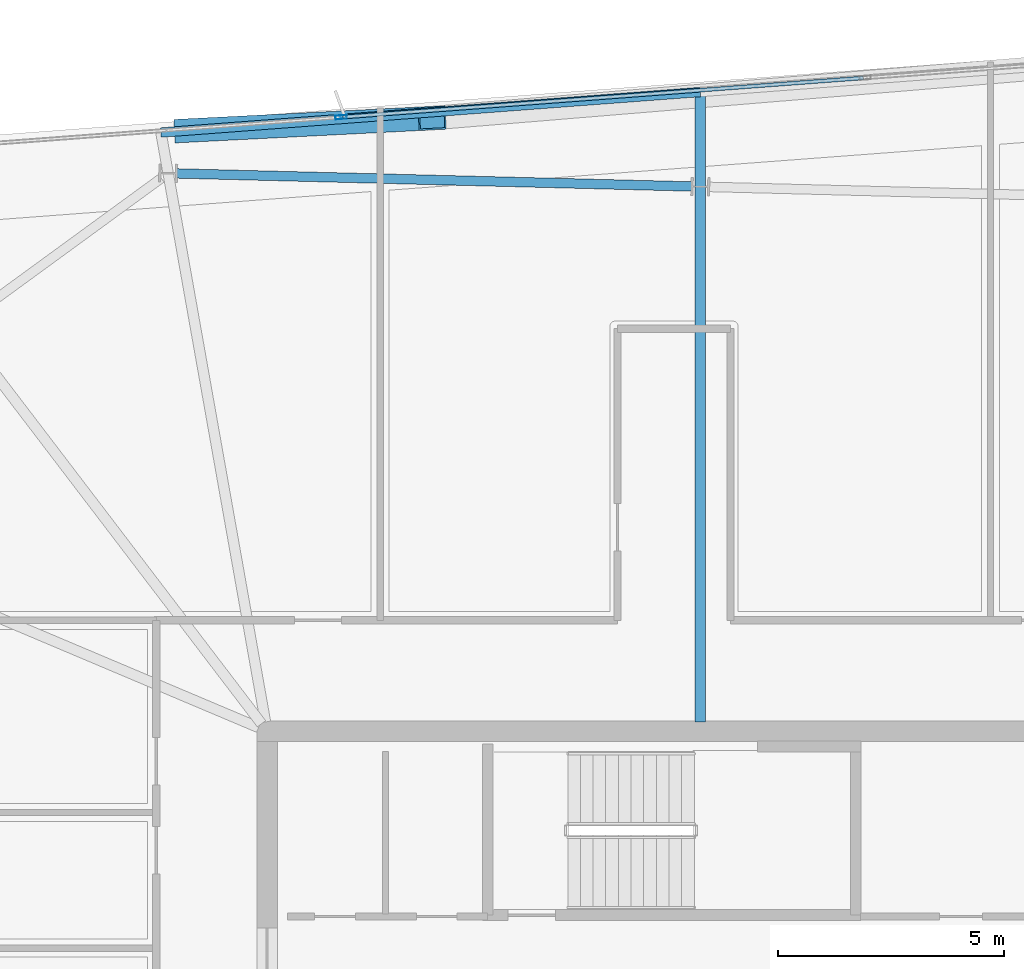
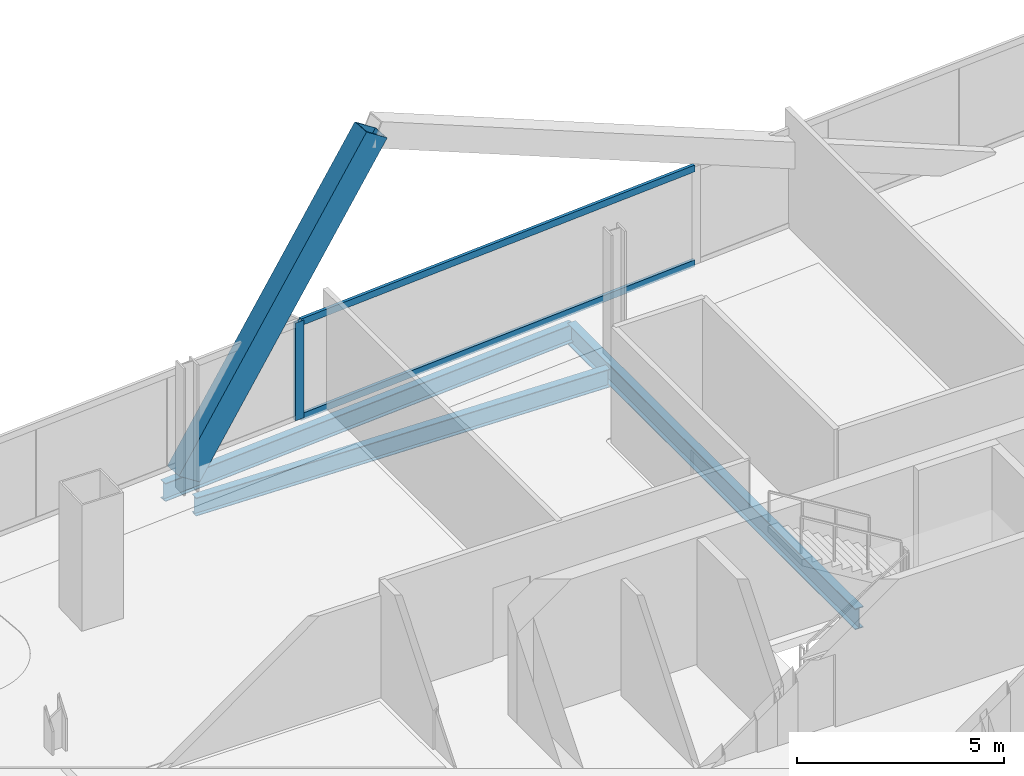
# One storey, part 12 of 23: 4 members, 3 beams, 1 element without a shape of its own.
"""IFC4 building model written with IfcOpenShell, lengths in metres."""

from ifc_helpers import new_model, si_unit, direction, frame, origin, origin_2d, place, context, subcontext, project, spatial, hollow_rectangle, i_section, extrude, material, material_profile, profile_set, type_object, element, aggregate, save


model = new_model("IFC4")

# Units and contexts
model_context = context("Model", 3, precision=1e-05, world=origin(), true_north=direction((0.0, 1.0)))
body_context = subcontext(model_context, "Body", "Model", "MODEL_VIEW")
ifc_project = project(units=[si_unit("LENGTHUNIT", "METRE"), si_unit("AREAUNIT", "SQUARE_METRE"), si_unit("VOLUMEUNIT", "CUBIC_METRE"), si_unit("PLANEANGLEUNIT", "RADIAN"), si_unit("MASSUNIT", "GRAM", prefix="KILO")], contexts=[model_context])

# Site, building, storey
site_placement = place(None, origin())
site = spatial("IfcSite", under=ifc_project, at=site_placement, CompositionType="ELEMENT")
building_placement = place(site_placement, origin())
building = spatial("IfcBuilding", under=site, at=building_placement, Name="Haldenkirk Collegiate Tower", CompositionType="ELEMENT")
storey_placement = place(building_placement, frame((0.0, 0.0, 343.949951171875)))
storey = spatial("IfcBuildingStorey", under=building, at=storey_placement, Name="L87", CompositionType="ELEMENT", Elevation=343.949951171875)

# Beams
ifc_material_1 = material(Name="Steel ASTM A992 Grade 50", Category="steel")
ifc_material_profile_1 = material_profile(ifc_material_1, i_section(OverallWidth=0.22998046875, OverallDepth=0.616943359375, WebThickness=0.01318359375, FlangeThickness=0.022216796875, at=origin_2d()), Name="W24X94")
ifc_profile_set_1 = profile_set([ifc_material_profile_1], Name="Steel ASTM A992 Grade 50")
beam_type_1 = type_object("IfcBeamType", Name="BM-GIRDER-W24X94", PredefinedType="BEAM", material=ifc_profile_set_1)
beam_1_placement = place(storey_placement, frame((36.582275390625, 48.135986328125, -0.568359375), z_axis=(0.0, -1.0, 0.0), x_axis=(1.0, 0.0, 0.0)))
element("IfcBeam", 1, at=beam_1_placement, inside=storey, type_object=beam_type_1, Name="L87 primary floor girder 09", PredefinedType="BEAM", context=body_context, shape_type="SweptSolid", body=[
    extrude(i_section(OverallWidth=0.22998046875, OverallDepth=0.616943359375, WebThickness=0.01318359375, FlangeThickness=0.022216796875, at=origin_2d()), origin(), (0.0, 0.0, 1.0), 13.930908203125),
])
ifc_material_profile_2 = material_profile(ifc_material_1, i_section(OverallWidth=0.2099609375, OverallDepth=0.537109375, WebThickness=0.010986328125, FlangeThickness=0.017333984375, at=origin_2d()), Name="W21X68")
ifc_profile_set_2 = profile_set([ifc_material_profile_2], Name="Steel ASTM A992 Grade 50")
beam_type_2 = type_object("IfcBeamType", Name="BM-SPANDREL-W21X68", PredefinedType="SPANDREL", material=ifc_profile_set_2)
beam_2_placement = place(storey_placement, frame((36.394287109375, 46.04638671875, -0.528564453125), z_axis=(-0.999680042221, 0.02529452876, 0.0), x_axis=(-0.02529452876, -0.999680042221, 0.0)))
element("IfcBeam", 2, at=beam_2_placement, inside=storey, type_object=beam_type_2, Name="L87 perimeter spandrel beam 07", PredefinedType="SPANDREL", context=body_context, shape_type="SweptSolid", body=[
    extrude(i_section(OverallWidth=0.2099609375, OverallDepth=0.537109375, WebThickness=0.010986328125, FlangeThickness=0.017333984375, at=origin_2d()), origin(), (0.0, 0.0, 1.0), 11.39892578125),
])
beam_3_placement = place(storey_placement, frame((36.582275390625, 48.135986328125, -0.528564453125), z_axis=(-0.997185748919, -0.074970541899, 0.0), x_axis=(0.074970541899, -0.997185748919, 0.0)))
element("IfcBeam", 3, at=beam_3_placement, inside=storey, type_object=beam_type_2, Name="L87 outer facade edge beam 2B", PredefinedType="SPANDREL", context=body_context, shape_type="SweptSolid", body=[
    extrude(i_section(OverallWidth=0.2099609375, OverallDepth=0.537109375, WebThickness=0.010986328125, FlangeThickness=0.017333984375, at=origin_2d()), origin(), (0.0, 0.0, 1.0), 11.96435546875),
])

# Curtain wall, members
ifc_material_2 = material(Name="Anodised architectural bronze aluminium", Category="aluminium")
curtain_wall_type = type_object("IfcCurtainWallType", Name="CW-SYS1B-CONVEX-HI", PredefinedType="USERDEFINED", material=ifc_material_2)
curtain_wall_placement = place(storey_placement, origin())
curtain_wall = element("IfcCurtainWall", 4, at=curtain_wall_placement, inside=storey, type_object=curtain_wall_type, Name="L87 Upper tower high-wind convex bronze unitised curtain wall", ObjectType="UNITISED CURTAIN WALL", PredefinedType="USERDEFINED")
ifc_material_profile_3 = material_profile(ifc_material_2, hollow_rectangle(XDim=0.0849609375, YDim=0.25, WallThickness=0.0048828125, at=origin_2d()), Name="CW-MUL-1B")
ifc_profile_set_3 = profile_set([ifc_material_profile_3], Name="Anodised architectural bronze aluminium")
member_type_1 = type_object("IfcMemberType", Name="CW-MUL-1B", PredefinedType="MULLION", material=ifc_profile_set_3)
member_1_placement = place(storey_placement, frame((28.636474609375, 47.57861328125, 0.0), z_axis=(0.0, 0.0, 1.0), x_axis=(-0.074979276345, 0.997185092206, 0.0)))
member_1 = element("IfcMember", 5, at=member_1_placement, type_object=member_type_1, Name="CW-1B mullion 2", PredefinedType="MULLION", context=body_context, shape_type="SweptSolid", body=[
    extrude(hollow_rectangle(XDim=0.0849609375, YDim=0.25, WallThickness=0.0048828125, at=origin_2d()), origin(), (0.0, 0.0, 1.0), 2.887939453125),
])
ifc_material_profile_4 = material_profile(ifc_material_2, hollow_rectangle(XDim=0.0849609375, YDim=0.199951171875, WallThickness=0.0048828125, at=origin_2d()), Name="CW-TRN-1B")
ifc_profile_set_4 = profile_set([ifc_material_profile_4], Name="Anodised architectural bronze aluminium")
member_type_2 = type_object("IfcMemberType", Name="CW-TRN-1B", PredefinedType="USERDEFINED", material=ifc_profile_set_4)
member_2_placement = place(storey_placement, frame((28.6787109375, 47.581787109375, 0.04248046875), z_axis=(0.997185289254, 0.074976655672, 0.0), x_axis=(-0.074976655672, 0.997185289254, 0.0)))
member_2 = element("IfcMember", 6, at=member_2_placement, type_object=member_type_2, Name="CW-1B transom 2.1", ObjectType="TRANSOM", PredefinedType="USERDEFINED", context=body_context, shape_type="SweptSolid", body=[
    extrude(hollow_rectangle(XDim=0.0849609375, YDim=0.199951171875, WallThickness=0.0048828125, at=origin_2d()), origin(), (0.0, 0.0, 1.0), 11.5400390625),
])
member_3_placement = place(storey_placement, frame((28.6787109375, 47.581787109375, 2.845458984375), z_axis=(0.997185289254, 0.074976655672, 0.0), x_axis=(-0.074976655672, 0.997185289254, 0.0)))
member_3 = element("IfcMember", 7, at=member_3_placement, type_object=member_type_2, Name="CW-1B transom 2.2", ObjectType="TRANSOM", PredefinedType="USERDEFINED", context=body_context, shape_type="SweptSolid", body=[
    extrude(hollow_rectangle(XDim=0.0849609375, YDim=0.199951171875, WallThickness=0.0048828125, at=origin_2d()), origin(), (0.0, 0.0, 1.0), 11.5400390625),
])
aggregate(curtain_wall, [member_1, member_2, member_3])

# Member
ifc_material_3 = material(Name="Steel ASTM A572 Grade 50", Category="steel")
ifc_material_profile_5 = material_profile(ifc_material_3, hollow_rectangle(XDim=0.52001953125, YDim=0.719970703125, WallThickness=0.035888671875, at=origin_2d()), Name="BOX720X520X36")
ifc_profile_set_5 = profile_set([ifc_material_profile_5], Name="Steel ASTM A572 Grade 50")
member_type_3 = type_object("IfcMemberType", Name="MBR-MEGABRACE-BOX720X520X36", PredefinedType="BRACE", material=ifc_profile_set_5)
member_4_placement = place(storey_placement, frame((25.25, 47.283935546875, -0.27001953125), z_axis=(0.553960759677, 0.028103814992, 0.832068297871), x_axis=(-0.050667339795, 0.998715585479, 0.0)))
element("IfcMember", 8, at=member_4_placement, inside=storey, type_object=member_type_3, Name="Perimeter Mega Brace Z6 L87-L88 ER", PredefinedType="BRACE", context=body_context, shape_type="SweptSolid", body=[
    extrude(hollow_rectangle(XDim=0.52001953125, YDim=0.719970703125, WallThickness=0.035888671875, at=origin_2d()), origin(), (0.0, 0.0, 1.0), 9.746826171875),
])

save(model, "model.ifc")
